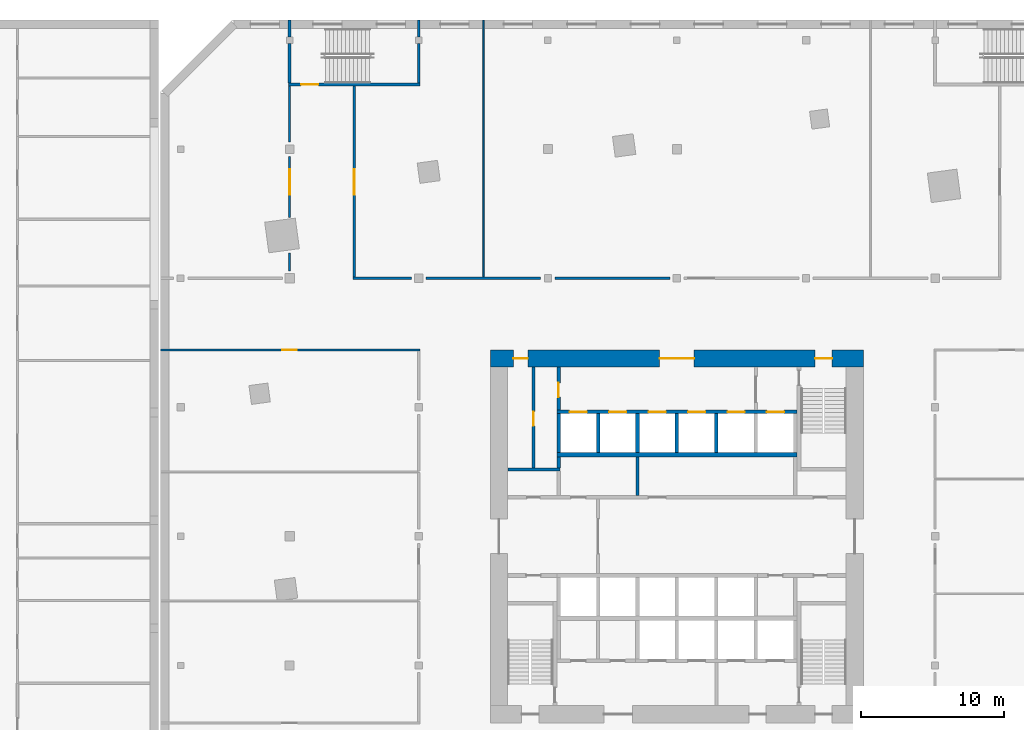
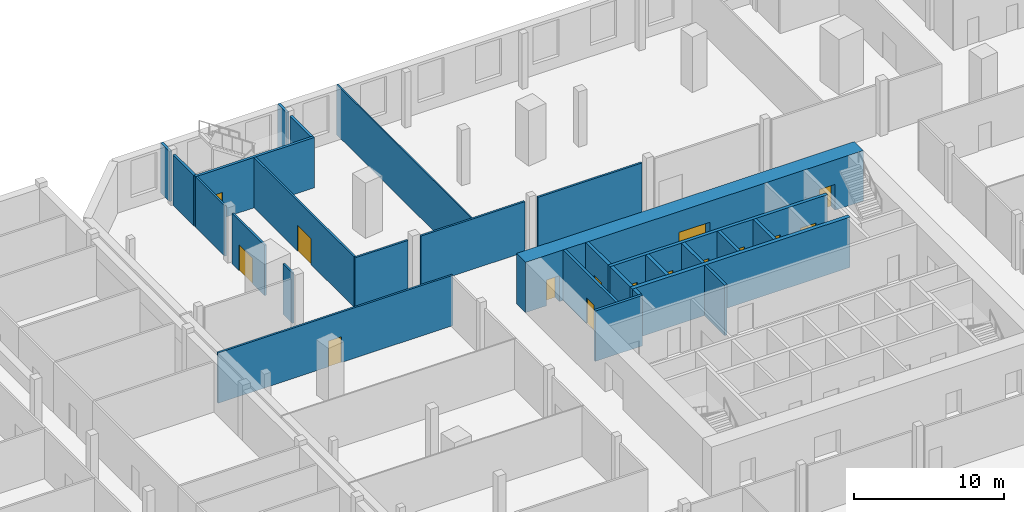
# One storey, part 11 of 18: 27 walls, 15 doors, 15 openings.
"""IFC4 building model written with IfcOpenShell, lengths in metres."""

from ifc_helpers import new_model, si_unit, direction, frame, frame_2d, origin, place, context, subcontext, project, spatial, rectangle, extrude, material, layer, layer_set, type_object, element, fill, save


model = new_model("IFC4")

# Units and contexts
model_context = context("Model", 3, precision=1e-05, world=origin(), true_north=direction((0.0, 1.0)))
body_context = subcontext(model_context, "Body", "Model", "MODEL_VIEW")
ifc_project = project(units=[si_unit("LENGTHUNIT", "METRE"), si_unit("AREAUNIT", "SQUARE_METRE"), si_unit("VOLUMEUNIT", "CUBIC_METRE"), si_unit("PLANEANGLEUNIT", "RADIAN"), si_unit("MASSUNIT", "GRAM", prefix="KILO")], contexts=[model_context])

# Site, building, storey
site_placement = place(None, origin())
site = spatial("IfcSite", under=ifc_project, at=site_placement, CompositionType="ELEMENT")
building_placement = place(site_placement, origin())
building = spatial("IfcBuilding", under=site, at=building_placement, Name="Dilmun Exchange Tower", CompositionType="ELEMENT")
storey_placement = place(building_placement, frame((0.0, 0.0, 13.5)))
storey = spatial("IfcBuildingStorey", under=building, at=storey_placement, Name="L03", CompositionType="ELEMENT", Elevation=13.5)

# Walls
ifc_material_1 = material(Name="Concrete C40/50", Category="concrete")
ifc_layer_1 = layer(ifc_material_1, 0.199951171875)
ifc_layer_set_1 = layer_set([ifc_layer_1], Name="Concrete C40/50")
wall_type_1 = type_object("IfcWallType", Name="Core partition wall 200", PredefinedType="PARTITIONING", material=ifc_layer_set_1)
wall_1_placement = place(storey_placement, frame((-2.75, 2.85498046875, 0.0), z_axis=(0.0, 0.0, 1.0), x_axis=(0.0, 1.0, 0.0)))
element("IfcWall", 1, at=wall_1_placement, inside=storey, type_object=wall_type_1, Name="L03 core partition wall 11", PredefinedType="PARTITIONING", context=body_context, shape_type="SweptSolid", body=[
    extrude(rectangle(XDim=2.68994140625, YDim=0.199951171875, at=frame_2d((1.344970703125, 0.0))), origin(), (0.0, 0.0, 1.0), 4.10009765625),
])
wall_2_placement = place(storey_placement, frame((-11.794921875, 4.675048828125, 0.0), z_axis=(0.0, 0.0, 1.0), x_axis=(1.0, 0.0, 0.0)))
element("IfcWall", 2, at=wall_2_placement, inside=storey, type_object=wall_type_1, Name="L03 core partition wall 13", PredefinedType="PARTITIONING", context=body_context, shape_type="SweptSolid", body=[
    extrude(rectangle(XDim=3.64501953125, YDim=0.199951171875, at=frame_2d((1.822509765625, 0.0))), origin(), (0.0, 0.0, 1.0), 4.10009765625),
])

# Wall, opening, door
wall_3_placement = place(storey_placement, frame((-10.0, 4.780029296875, 0.0), z_axis=(0.0, 0.0, 1.0), x_axis=(0.0, 1.0, 0.0)))
wall_3 = element("IfcWall", 3, at=wall_3_placement, inside=storey, type_object=wall_type_1, Name="L03 core partition wall 14", PredefinedType="PARTITIONING", context=body_context, shape_type="SweptSolid", body=[
    extrude(rectangle(XDim=7.014892578125, YDim=0.199951171875, at=frame_2d((3.50732421875, 0.0))), origin(), (0.0, 0.0, 1.0), 4.10009765625),
])
opening_1_placement = place(wall_3_placement, frame((2.919921875, 0.0, 0.0)))
opening_1 = element("IfcOpeningElement", 4, at=opening_1_placement, cuts=wall_3, Name="Opening CD4", PredefinedType="OPENING", context=body_context, shape_type="SweptSolid", body=[
    extrude(rectangle(XDim=1.0, YDim=2.10009765625, at=frame_2d((0.5, 1.050048828125))), frame((0.0, 0.10986328125, 0.0), z_axis=(0.0, -1.0, 0.0), x_axis=(1.0, 0.0, 0.0)), (0.0, 0.0, 1.0), 0.219970703125),
])
ifc_material_2 = material(Name="Fire-rated steel door set", Category="steel")
door_type_1 = type_object("IfcDoorType", Name="Core room door 1000x2100", OperationType="SINGLE_SWING_LEFT", PredefinedType="DOOR", material=ifc_material_2)
door_1_placement = place(opening_1_placement, origin())
door_1 = element("IfcDoor", 5, at=door_1_placement, inside=storey, type_object=door_type_1, Name="L03 door Comms room", OperationType="SINGLE_SWING_RIGHT", OverallHeight=2.10009765625, OverallWidth=1.0, PredefinedType="DOOR", context=body_context, shape_type="SweptSolid", body=[
    extrude(rectangle(XDim=1.0, YDim=2.10009765625, at=frame_2d((0.5, 1.050048828125))), frame((0.0, 0.02490234375, 0.0), z_axis=(0.0, -1.0, 0.0), x_axis=(1.0, 0.0, 0.0)), (0.0, 0.0, 1.0), 0.050048828125),
])
fill(opening_1, door_1)

# Wall
ifc_layer_2 = layer(ifc_material_1, 0.25)
ifc_layer_set_2 = layer_set([ifc_layer_2], Name="Concrete C40/50")
wall_type_2 = type_object("IfcWallType", Name="Core partition wall 250", PredefinedType="PARTITIONING", material=ifc_layer_set_2)
wall_4_placement = place(storey_placement, frame((-8.25, 4.780029296875, 0.0), z_axis=(0.0, 0.0, 1.0), x_axis=(0.0, 1.0, 0.0)))
element("IfcWall", 6, at=wall_4_placement, inside=storey, type_object=wall_type_2, Name="L03 core partition wall 15", PredefinedType="PARTITIONING", context=body_context, shape_type="SweptSolid", body=[
    extrude(rectangle(XDim=0.764892578125, YDim=0.25, at=frame_2d((0.38232421875, 0.0))), origin(), (0.0, 0.0, 1.0), 4.10009765625),
])

# Wall, opening, door
wall_5_placement = place(storey_placement, frame((-8.25, 8.804931640625, 0.0), z_axis=(0.0, 0.0, 1.0), x_axis=(0.0, 1.0, 0.0)))
wall_5 = element("IfcWall", 7, at=wall_5_placement, inside=storey, type_object=wall_type_2, Name="L03 core partition wall 16", PredefinedType="PARTITIONING", context=body_context, shape_type="SweptSolid", body=[
    extrude(rectangle(XDim=2.989990234375, YDim=0.25, at=frame_2d((1.4951171875, 0.0))), origin(), (0.0, 0.0, 1.0), 4.10009765625),
])
opening_2_placement = place(wall_5_placement, frame((0.89501953125, 0.0, 0.0)))
opening_2 = element("IfcOpeningElement", 8, at=opening_2_placement, cuts=wall_5, Name="Opening CD4", PredefinedType="OPENING", context=body_context, shape_type="SweptSolid", body=[
    extrude(rectangle(XDim=1.0, YDim=2.10009765625, at=frame_2d((0.5, 1.050048828125))), frame((0.0, 0.135009765625, 0.0), z_axis=(0.0, -1.0, 0.0), x_axis=(1.0, 0.0, 0.0)), (0.0, 0.0, 1.0), 0.27001953125),
])
door_2_placement = place(opening_2_placement, origin())
door_2 = element("IfcDoor", 9, at=door_2_placement, inside=storey, type_object=door_type_1, Name="L03 door Security room", OperationType="SINGLE_SWING_RIGHT", OverallHeight=2.10009765625, OverallWidth=1.0, PredefinedType="DOOR", context=body_context, shape_type="SweptSolid", body=[
    extrude(rectangle(XDim=1.0, YDim=2.10009765625, at=frame_2d((0.5, 1.050048828125))), frame((0.0, 0.02490234375, 0.0), z_axis=(0.0, -1.0, 0.0), x_axis=(1.0, 0.0, 0.0)), (0.0, 0.0, 1.0), 0.050048828125),
])
fill(opening_2, door_2)

# Wall, openings, doors
ifc_material_3 = material(Name="Concrete C80/95", Category="concrete")
ifc_layer_3 = layer(ifc_material_3, 1.199951171875)
ifc_layer_set_3 = layer_set([ifc_layer_3], Name="Concrete C80/95")
wall_type_3 = type_object("IfcWallType", Name="Core shear wall 1200 Concrete C80/95", PredefinedType="SHEAR", material=ifc_layer_set_3)
wall_6_placement = place(storey_placement, frame((-13.0, 12.39990234375, 0.0), z_axis=(0.0, 0.0, 1.0), x_axis=(1.0, 0.0, 0.0)))
wall_6 = element("IfcWall", 10, at=wall_6_placement, inside=storey, type_object=wall_type_3, Name="L03 core shear wall N", PredefinedType="SHEAR", context=body_context, shape_type="SweptSolid", body=[
    extrude(rectangle(XDim=26.0, YDim=1.199951171875, at=frame_2d((13.0, 0.0))), origin(), (0.0, 0.0, 1.0), 4.10009765625),
])
opening_3_placement = place(wall_6_placement, frame((11.800048828125, 0.0, 0.0)))
opening_3 = element("IfcOpeningElement", 11, at=opening_3_placement, cuts=wall_6, Name="Opening CD1", PredefinedType="OPENING", context=body_context, shape_type="SweptSolid", body=[
    extrude(rectangle(XDim=2.39990234375, YDim=2.39990234375, at=frame_2d((1.199951171875, 1.199951171875))), frame((0.0, 0.60986328125, 0.0), z_axis=(0.0, -1.0, 0.0), x_axis=(1.0, 0.0, 0.0)), (0.0, 0.0, 1.0), 1.219970703125),
])
opening_4_placement = place(wall_6_placement, frame((22.625, 0.0, 0.0)))
opening_4 = element("IfcOpeningElement", 12, at=opening_4_placement, cuts=wall_6, Name="Opening CD3", PredefinedType="OPENING", context=body_context, shape_type="SweptSolid", body=[
    extrude(rectangle(XDim=1.199951171875, YDim=2.10009765625, at=frame_2d((0.60009765625, 1.050048828125))), frame((0.0, 0.60986328125, 0.0), z_axis=(0.0, -1.0, 0.0), x_axis=(1.0, 0.0, 0.0)), (0.0, 0.0, 1.0), 1.219970703125),
])
opening_5_placement = place(wall_6_placement, frame((1.60009765625, 0.0, 0.0)))
opening_5 = element("IfcOpeningElement", 13, at=opening_5_placement, cuts=wall_6, Name="Opening CD4", PredefinedType="OPENING", context=body_context, shape_type="SweptSolid", body=[
    extrude(rectangle(XDim=1.0, YDim=2.10009765625, at=frame_2d((0.5, 1.050048828125))), frame((0.0, 0.60986328125, 0.0), z_axis=(0.0, -1.0, 0.0), x_axis=(1.0, 0.0, 0.0)), (0.0, 0.0, 1.0), 1.219970703125),
])
door_type_2 = type_object("IfcDoorType", Name="Core lobby door 2400x2400", OperationType="DOUBLE_DOOR_DOUBLE_SWING", PredefinedType="DOOR", material=ifc_material_2)
door_3_placement = place(opening_3_placement, origin())
door_3 = element("IfcDoor", 14, at=door_3_placement, inside=storey, type_object=door_type_2, Name="L03 door North lift lobby", OperationType="SINGLE_SWING_LEFT", OverallHeight=2.39990234375, OverallWidth=2.39990234375, PredefinedType="DOOR", context=body_context, shape_type="SweptSolid", body=[
    extrude(rectangle(XDim=2.39990234375, YDim=2.39990234375, at=frame_2d((1.199951171875, 1.199951171875))), frame((0.0, 0.02490234375, 0.0), z_axis=(0.0, -1.0, 0.0), x_axis=(1.0, 0.0, 0.0)), (0.0, 0.0, 1.0), 0.050048828125),
])
fill(opening_3, door_3)
door_4_placement = place(opening_5_placement, origin())
door_4 = element("IfcDoor", 15, at=door_4_placement, inside=storey, type_object=door_type_1, Name="L03 door North-west core rooms", OperationType="SINGLE_SWING_LEFT", OverallHeight=2.10009765625, OverallWidth=1.0, PredefinedType="DOOR", context=body_context, shape_type="SweptSolid", body=[
    extrude(rectangle(XDim=1.0, YDim=2.10009765625, at=frame_2d((0.5, 1.050048828125))), frame((0.0, 0.02490234375, 0.0), z_axis=(0.0, -1.0, 0.0), x_axis=(1.0, 0.0, 0.0)), (0.0, 0.0, 1.0), 0.050048828125),
])
fill(opening_5, door_4)
door_type_3 = type_object("IfcDoorType", Name="Stair exit door 1200x2100", OperationType="SINGLE_SWING_LEFT", PredefinedType="DOOR", material=ifc_material_2)
door_5_placement = place(opening_4_placement, origin())
door_5 = element("IfcDoor", 16, at=door_5_placement, inside=storey, type_object=door_type_3, Name="L03 door Stair ST1", OperationType="SINGLE_SWING_LEFT", OverallHeight=2.10009765625, OverallWidth=1.199951171875, PredefinedType="DOOR", context=body_context, shape_type="SweptSolid", body=[
    extrude(rectangle(XDim=1.199951171875, YDim=2.10009765625, at=frame_2d((0.60009765625, 1.050048828125))), frame((0.0, 0.02490234375, 0.0), z_axis=(0.0, -1.0, 0.0), x_axis=(1.0, 0.0, 0.0)), (0.0, 0.0, 1.0), 0.050048828125),
])
fill(opening_4, door_5)

# Wall, opening, door
ifc_material_4 = material(Name="Fire partition EI 60 150 gypsum")
ifc_layer_4 = layer(ifc_material_4, 0.14990234375)
ifc_layer_set_4 = layer_set([ifc_layer_4], Name="Fire partition EI 60 150 gypsum")
wall_type_4 = type_object("IfcWallType", Name="Fire partition EI 60 150 gypsum", PredefinedType="PARTITIONING", material=ifc_layer_set_4)
wall_7_placement = place(storey_placement, frame((-36.0, 13.0, 0.0), z_axis=(0.0, 0.0, 1.0), x_axis=(1.0, 0.0, 0.0)))
wall_7 = element("IfcWall", 17, at=wall_7_placement, inside=storey, type_object=wall_type_4, Name="L03 partition", PredefinedType="PARTITIONING", context=body_context, shape_type="SweptSolid", body=[
    extrude(rectangle(XDim=18.074951171875, YDim=0.14990234375, at=frame_2d((9.03759765625, 0.0))), origin(), (0.0, 0.0, 1.0), 4.10009765625),
])
opening_6_placement = place(wall_7_placement, frame((8.5, 0.0, 0.0)))
opening_6 = element("IfcOpeningElement", 18, at=opening_6_placement, cuts=wall_7, Name="Opening L03-D019", PredefinedType="OPENING", context=body_context, shape_type="SweptSolid", body=[
    extrude(rectangle(XDim=1.0, YDim=2.10009765625, at=frame_2d((0.5, 1.050048828125))), frame((0.0, 0.0849609375, 0.0), z_axis=(0.0, -1.0, 0.0), x_axis=(1.0, 0.0, 0.0)), (0.0, 0.0, 1.0), 0.169921875),
])
ifc_material_5 = material(Name="Fire door FD60 1000 x 2100")
door_type_4 = type_object("IfcDoorType", Name="Fire door FD60 1000 x 2100", OperationType="SINGLE_SWING_LEFT", PredefinedType="DOOR", material=ifc_material_5)
door_6_placement = place(opening_6_placement, origin())
door_6 = element("IfcDoor", 19, at=door_6_placement, inside=storey, type_object=door_type_4, Name="L03 door L03-D019", OperationType="SINGLE_SWING_LEFT", OverallHeight=2.10009765625, OverallWidth=1.0, PredefinedType="DOOR", context=body_context, shape_type="SweptSolid", body=[
    extrude(rectangle(XDim=1.0, YDim=2.10009765625, at=frame_2d((0.5, 1.050048828125))), frame((0.0, 0.02490234375, 0.0), z_axis=(0.0, -1.0, 0.0), x_axis=(1.0, 0.0, 0.0)), (0.0, 0.0, 1.0), 0.050048828125),
])
fill(opening_6, door_6)

# Walls
wall_8_placement = place(storey_placement, frame((-22.574951171875, 18.0, 0.0), z_axis=(0.0, 0.0, 1.0), x_axis=(1.0, 0.0, 0.0)))
element("IfcWall", 20, at=wall_8_placement, inside=storey, type_object=wall_type_4, Name="L03 partition", PredefinedType="PARTITIONING", context=body_context, shape_type="SweptSolid", body=[
    extrude(rectangle(XDim=4.074951171875, YDim=0.14990234375, at=frame_2d((2.03759765625, 0.0))), origin(), (0.0, 0.0, 1.0), 4.10009765625),
])
for number, where, z_axis, x_axis, name in (
    (21, (-17.5, 18.0, 0.0), (0.0, 0.0, 1.0), (1.0, 0.0, 0.0), "L03 partition"),
    (22, (-8.5, 18.0, 0.0), (0.0, 0.0, 1.0), (1.0, 0.0, 0.0), "L03 partition"),
):
    element("IfcWall", number, at=place(storey_placement, frame(where, z_axis=z_axis, x_axis=x_axis)), inside=storey, type_object=wall_type_4, Name=name, PredefinedType="PARTITIONING", context=body_context, shape_type="SweptSolid", body=[
        extrude(rectangle(XDim=8.0, YDim=0.14990234375, at=frame_2d((4.0, 0.0))), origin(), (0.0, 0.0, 1.0), 4.10009765625),
    ])
wall_9_placement = place(storey_placement, frame((-27.0, 18.5, 0.0), z_axis=(0.0, 0.0, 1.0), x_axis=(0.0, 1.0, 0.0)))
element("IfcWall", 23, at=wall_9_placement, inside=storey, type_object=wall_type_4, Name="L03 partition", PredefinedType="PARTITIONING", context=body_context, shape_type="SweptSolid", body=[
    extrude(rectangle(XDim=1.24169921875, YDim=0.14990234375, at=frame_2d((0.620849609375, 0.0))), origin(), (0.0, 0.0, 1.0), 4.10009765625),
])

# Wall, opening, door
wall_10_placement = place(storey_placement, frame((-27.0, 22.21630859375, 0.0), z_axis=(0.0, 0.0, 1.0), x_axis=(0.0, 1.0, 0.0)))
wall_10 = element("IfcWall", 24, at=wall_10_placement, inside=storey, type_object=wall_type_4, Name="L03 partition", PredefinedType="PARTITIONING", context=body_context, shape_type="SweptSolid", body=[
    extrude(rectangle(XDim=4.28369140625, YDim=0.14990234375, at=frame_2d((2.141845703125, 0.0))), origin(), (0.0, 0.0, 1.0), 4.10009765625),
])
opening_7_placement = place(wall_10_placement, frame((1.583740234375, 0.0, 0.0)))
opening_7 = element("IfcOpeningElement", 25, at=opening_7_placement, cuts=wall_10, Name="Opening L03-D008", PredefinedType="OPENING", context=body_context, shape_type="SweptSolid", body=[
    extrude(rectangle(XDim=1.800048828125, YDim=2.10009765625, at=frame_2d((0.89990234375, 1.050048828125))), frame((0.0, 0.0849609375, 0.0), z_axis=(0.0, -1.0, 0.0), x_axis=(1.0, 0.0, 0.0)), (0.0, 0.0, 1.0), 0.169921875),
])
ifc_material_6 = material(Name="Fire door FD60 double 1800 x 2100")
door_type_5 = type_object("IfcDoorType", Name="Fire door FD60 double 1800 x 2100", OperationType="DOUBLE_DOOR_SINGLE_SWING", PredefinedType="DOOR", material=ifc_material_6)
door_7_placement = place(opening_7_placement, origin())
door_7 = element("IfcDoor", 26, at=door_7_placement, inside=storey, type_object=door_type_5, Name="L03 door L03-D008", OperationType="DOUBLE_DOOR_SINGLE_SWING", OverallHeight=2.10009765625, OverallWidth=1.800048828125, PredefinedType="DOOR", context=body_context, shape_type="SweptSolid", body=[
    extrude(rectangle(XDim=1.800048828125, YDim=2.10009765625, at=frame_2d((0.89990234375, 1.050048828125))), frame((0.0, 0.02490234375, 0.0), z_axis=(0.0, -1.0, 0.0), x_axis=(1.0, 0.0, 0.0)), (0.0, 0.0, 1.0), 0.050048828125),
])
fill(opening_7, door_7)

# Wall
wall_11_placement = place(storey_placement, frame((-27.0, 27.5, 0.0), z_axis=(0.0, 0.0, 1.0), x_axis=(0.0, 1.0, 0.0)))
element("IfcWall", 27, at=wall_11_placement, inside=storey, type_object=wall_type_4, Name="L03 partition", PredefinedType="PARTITIONING", context=body_context, shape_type="SweptSolid", body=[
    extrude(rectangle(XDim=3.89990234375, YDim=0.14990234375, at=frame_2d((1.949951171875, 0.0))), origin(), (0.0, 0.0, 1.0), 4.10009765625),
])

# Wall, opening, door
wall_12_placement = place(storey_placement, frame((-22.5, 18.074951171875, 0.0), z_axis=(0.0, 0.0, 1.0), x_axis=(0.0, 1.0, 0.0)))
wall_12 = element("IfcWall", 28, at=wall_12_placement, inside=storey, type_object=wall_type_4, Name="L03 partition", PredefinedType="PARTITIONING", context=body_context, shape_type="SweptSolid", body=[
    extrude(rectangle(XDim=13.324951171875, YDim=0.14990234375, at=frame_2d((6.66259765625, 0.0))), origin(), (0.0, 0.0, 1.0), 4.10009765625),
])
opening_8_placement = place(wall_12_placement, frame((5.72509765625, 0.0, 0.0)))
opening_8 = element("IfcOpeningElement", 29, at=opening_8_placement, cuts=wall_12, Name="Opening L03-D009", PredefinedType="OPENING", context=body_context, shape_type="SweptSolid", body=[
    extrude(rectangle(XDim=1.800048828125, YDim=2.10009765625, at=frame_2d((0.89990234375, 1.050048828125))), frame((0.0, 0.0849609375, 0.0), z_axis=(0.0, -1.0, 0.0), x_axis=(1.0, 0.0, 0.0)), (0.0, 0.0, 1.0), 0.169921875),
])
door_8_placement = place(opening_8_placement, origin())
door_8 = element("IfcDoor", 30, at=door_8_placement, inside=storey, type_object=door_type_5, Name="L03 door L03-D009", OperationType="DOUBLE_DOOR_SINGLE_SWING", OverallHeight=2.10009765625, OverallWidth=1.800048828125, PredefinedType="DOOR", context=body_context, shape_type="SweptSolid", body=[
    extrude(rectangle(XDim=1.800048828125, YDim=2.10009765625, at=frame_2d((0.89990234375, 1.050048828125))), frame((0.0, 0.02490234375, 0.0), z_axis=(0.0, -1.0, 0.0), x_axis=(1.0, 0.0, 0.0)), (0.0, 0.0, 1.0), 0.050048828125),
])
fill(opening_8, door_8)

ifc_material_7 = material(Name="Fire wall EI 120 200 blockwork", Category="masonry")
ifc_layer_5 = layer(ifc_material_7, 0.199951171875)
ifc_layer_set_5 = layer_set([ifc_layer_5], Name="Fire wall EI 120 200 blockwork")
wall_type_5 = type_object("IfcWallType", Name="Fire wall EI 120 200 blockwork", PredefinedType="PARTITIONING", material=ifc_layer_set_5)
wall_13_placement = place(storey_placement, frame((-27.074951171875, 31.5, 0.0), z_axis=(0.0, 0.0, 1.0), x_axis=(1.0, 0.0, 0.0)))
wall_13 = element("IfcWall", 31, at=wall_13_placement, inside=storey, type_object=wall_type_5, Name="L03 stair wall", PredefinedType="PARTITIONING", context=body_context, shape_type="SweptSolid", body=[
    extrude(rectangle(XDim=9.175048828125, YDim=0.199951171875, at=frame_2d((4.58740234375, 0.0))), origin(), (0.0, 0.0, 1.0), 4.10009765625),
])
opening_9_placement = place(wall_13_placement, frame((0.875, 0.0, 0.0)))
opening_9 = element("IfcOpeningElement", 32, at=opening_9_placement, cuts=wall_13, Name="Opening L03-D001", PredefinedType="OPENING", context=body_context, shape_type="SweptSolid", body=[
    extrude(rectangle(XDim=1.199951171875, YDim=2.10009765625, at=frame_2d((0.60009765625, 1.050048828125))), frame((0.0, 0.10986328125, 0.0), z_axis=(0.0, -1.0, 0.0), x_axis=(1.0, 0.0, 0.0)), (0.0, 0.0, 1.0), 0.219970703125),
])
ifc_material_8 = material(Name="Stair door FD90 1200 x 2100")
door_type_6 = type_object("IfcDoorType", Name="Stair door FD90 1200 x 2100", OperationType="SINGLE_SWING_LEFT", PredefinedType="DOOR", material=ifc_material_8)
door_9_placement = place(opening_9_placement, origin())
door_9 = element("IfcDoor", 33, at=door_9_placement, inside=storey, type_object=door_type_6, Name="L03 door L03-D001", OperationType="SINGLE_SWING_LEFT", OverallHeight=2.10009765625, OverallWidth=1.199951171875, PredefinedType="DOOR", context=body_context, shape_type="SweptSolid", body=[
    extrude(rectangle(XDim=1.199951171875, YDim=2.10009765625, at=frame_2d((0.60009765625, 1.050048828125))), frame((0.0, 0.02490234375, 0.0), z_axis=(0.0, -1.0, 0.0), x_axis=(1.0, 0.0, 0.0)), (0.0, 0.0, 1.0), 0.050048828125),
])
fill(opening_9, door_9)

# Walls
wall_14_placement = place(storey_placement, frame((-27.0, 31.60009765625, 0.0), z_axis=(0.0, 0.0, 1.0), x_axis=(0.0, 1.0, 0.0)))
element("IfcWall", 34, at=wall_14_placement, inside=storey, type_object=wall_type_5, Name="L03 stair wall", PredefinedType="PARTITIONING", context=body_context, shape_type="SweptSolid", body=[
    extrude(rectangle(XDim=2.77490234375, YDim=0.199951171875, at=frame_2d((1.387451171875, 0.0))), origin(), (0.0, 0.0, 1.0), 4.10009765625),
])
wall_15_placement = place(storey_placement, frame((-27.0, 34.824951171875, 0.0), z_axis=(0.0, 0.0, 1.0), x_axis=(0.0, 1.0, 0.0)))
element("IfcWall", 35, at=wall_15_placement, inside=storey, type_object=wall_type_5, Name="L03 stair wall", PredefinedType="PARTITIONING", context=body_context, shape_type="SweptSolid", body=[
    extrude(rectangle(XDim=1.175048828125, YDim=0.199951171875, at=frame_2d((0.58740234375, 0.0))), origin(), (0.0, 0.0, 1.0), 4.10009765625),
])
wall_16_placement = place(storey_placement, frame((-18.0, 31.60009765625, 0.0), z_axis=(0.0, 0.0, 1.0), x_axis=(0.0, 1.0, 0.0)))
element("IfcWall", 36, at=wall_16_placement, inside=storey, type_object=wall_type_5, Name="L03 stair wall", PredefinedType="PARTITIONING", context=body_context, shape_type="SweptSolid", body=[
    extrude(rectangle(XDim=2.77490234375, YDim=0.199951171875, at=frame_2d((1.387451171875, 0.0))), origin(), (0.0, 0.0, 1.0), 4.10009765625),
])
wall_17_placement = place(storey_placement, frame((-18.0, 34.824951171875, 0.0), z_axis=(0.0, 0.0, 1.0), x_axis=(0.0, 1.0, 0.0)))
element("IfcWall", 37, at=wall_17_placement, inside=storey, type_object=wall_type_5, Name="L03 stair wall", PredefinedType="PARTITIONING", context=body_context, shape_type="SweptSolid", body=[
    extrude(rectangle(XDim=1.175048828125, YDim=0.199951171875, at=frame_2d((0.58740234375, 0.0))), origin(), (0.0, 0.0, 1.0), 4.10009765625),
])
ifc_layer_6 = layer(ifc_material_1, 0.300048828125)
ifc_layer_set_6 = layer_set([ifc_layer_6], Name="Concrete C40/50")
wall_type_6 = type_object("IfcWallType", Name="Lift shaft shared wall 300", PredefinedType="SOLIDWALL", material=ifc_layer_set_6)
wall_18_placement = place(storey_placement, frame((-8.375, 5.699951171875, 0.0), z_axis=(0.0, 0.0, 1.0), x_axis=(1.0, 0.0, 0.0)))
element("IfcWall", 38, at=wall_18_placement, inside=storey, type_object=wall_type_6, Name="L03 lift shaft rear wall N", PredefinedType="SOLIDWALL", context=body_context, shape_type="SweptSolid", body=[
    extrude(rectangle(XDim=16.75, YDim=0.300048828125, at=frame_2d((8.375, 0.0))), origin(), (0.0, 0.0, 1.0), 4.10009765625),
])

# Wall, openings, doors
ifc_layer_7 = layer(ifc_material_1, 0.25)
ifc_layer_set_7 = layer_set([ifc_layer_7], Name="Concrete C40/50")
wall_type_7 = type_object("IfcWallType", Name="Lift shaft wall 250", PredefinedType="SOLIDWALL", material=ifc_layer_set_7)
wall_19_placement = place(storey_placement, frame((-8.375, 8.675048828125, 0.0), z_axis=(0.0, 0.0, 1.0), x_axis=(1.0, 0.0, 0.0)))
wall_19 = element("IfcWall", 39, at=wall_19_placement, inside=storey, type_object=wall_type_7, Name="L03 lift shaft front wall N2", PredefinedType="SOLIDWALL", context=body_context, shape_type="SweptSolid", body=[
    extrude(rectangle(XDim=16.75, YDim=0.25, at=frame_2d((8.375, 0.0))), origin(), (0.0, 0.0, 1.0), 4.10009765625),
])
opening_10_placement = place(wall_19_placement, frame((0.89990234375, 0.0, 0.0)))
opening_10 = element("IfcOpeningElement", 40, at=opening_10_placement, cuts=wall_19, Name="Opening LD", PredefinedType="OPENING", context=body_context, shape_type="SweptSolid", body=[
    extrude(rectangle(XDim=1.199951171875, YDim=2.10009765625, at=frame_2d((0.60009765625, 1.050048828125))), frame((0.0, 0.135009765625, 0.0), z_axis=(0.0, -1.0, 0.0), x_axis=(1.0, 0.0, 0.0)), (0.0, 0.0, 1.0), 0.27001953125),
])
opening_11_placement = place(wall_19_placement, frame((3.64990234375, 0.0, 0.0)))
opening_11 = element("IfcOpeningElement", 41, at=opening_11_placement, cuts=wall_19, Name="Opening LD", PredefinedType="OPENING", context=body_context, shape_type="SweptSolid", body=[
    extrude(rectangle(XDim=1.199951171875, YDim=2.10009765625, at=frame_2d((0.60009765625, 1.050048828125))), frame((0.0, 0.135009765625, 0.0), z_axis=(0.0, -1.0, 0.0), x_axis=(1.0, 0.0, 0.0)), (0.0, 0.0, 1.0), 0.27001953125),
])
opening_12_placement = place(wall_19_placement, frame((6.39990234375, 0.0, 0.0)))
opening_12 = element("IfcOpeningElement", 42, at=opening_12_placement, cuts=wall_19, Name="Opening LD", PredefinedType="OPENING", context=body_context, shape_type="SweptSolid", body=[
    extrude(rectangle(XDim=1.199951171875, YDim=2.10009765625, at=frame_2d((0.60009765625, 1.050048828125))), frame((0.0, 0.135009765625, 0.0), z_axis=(0.0, -1.0, 0.0), x_axis=(1.0, 0.0, 0.0)), (0.0, 0.0, 1.0), 0.27001953125),
])
opening_13_placement = place(wall_19_placement, frame((9.14990234375, 0.0, 0.0)))
opening_13 = element("IfcOpeningElement", 43, at=opening_13_placement, cuts=wall_19, Name="Opening LD", PredefinedType="OPENING", context=body_context, shape_type="SweptSolid", body=[
    extrude(rectangle(XDim=1.199951171875, YDim=2.10009765625, at=frame_2d((0.60009765625, 1.050048828125))), frame((0.0, 0.135009765625, 0.0), z_axis=(0.0, -1.0, 0.0), x_axis=(1.0, 0.0, 0.0)), (0.0, 0.0, 1.0), 0.27001953125),
])
opening_14_placement = place(wall_19_placement, frame((11.89990234375, 0.0, 0.0)))
opening_14 = element("IfcOpeningElement", 44, at=opening_14_placement, cuts=wall_19, Name="Opening LD", PredefinedType="OPENING", context=body_context, shape_type="SweptSolid", body=[
    extrude(rectangle(XDim=1.199951171875, YDim=2.10009765625, at=frame_2d((0.60009765625, 1.050048828125))), frame((0.0, 0.135009765625, 0.0), z_axis=(0.0, -1.0, 0.0), x_axis=(1.0, 0.0, 0.0)), (0.0, 0.0, 1.0), 0.27001953125),
])
opening_15_placement = place(wall_19_placement, frame((14.64990234375, 0.0, 0.0)))
opening_15 = element("IfcOpeningElement", 45, at=opening_15_placement, cuts=wall_19, Name="Opening LD", PredefinedType="OPENING", context=body_context, shape_type="SweptSolid", body=[
    extrude(rectangle(XDim=1.199951171875, YDim=2.10009765625, at=frame_2d((0.60009765625, 1.050048828125))), frame((0.0, 0.135009765625, 0.0), z_axis=(0.0, -1.0, 0.0), x_axis=(1.0, 0.0, 0.0)), (0.0, 0.0, 1.0), 0.27001953125),
])
door_type_7 = type_object("IfcDoorType", Name="Lift landing door 1200x2100", OperationType="DOUBLE_DOOR_SLIDING", PredefinedType="DOOR", material=ifc_material_2)
door_10_placement = place(opening_10_placement, origin())
door_10 = element("IfcDoor", 46, at=door_10_placement, inside=storey, type_object=door_type_7, Name="L03 landing door LR1", OperationType="DOUBLE_DOOR_SLIDING", OverallHeight=2.10009765625, OverallWidth=1.199951171875, PredefinedType="DOOR", context=body_context, shape_type="SweptSolid", body=[
    extrude(rectangle(XDim=1.199951171875, YDim=2.10009765625, at=frame_2d((0.60009765625, 1.050048828125))), frame((0.0, 0.02490234375, 0.0), z_axis=(0.0, -1.0, 0.0), x_axis=(1.0, 0.0, 0.0)), (0.0, 0.0, 1.0), 0.050048828125),
])
fill(opening_10, door_10)
door_11_placement = place(opening_11_placement, origin())
door_11 = element("IfcDoor", 47, at=door_11_placement, inside=storey, type_object=door_type_7, Name="L03 landing door LR2", OperationType="DOUBLE_DOOR_SLIDING", OverallHeight=2.10009765625, OverallWidth=1.199951171875, PredefinedType="DOOR", context=body_context, shape_type="SweptSolid", body=[
    extrude(rectangle(XDim=1.199951171875, YDim=2.10009765625, at=frame_2d((0.60009765625, 1.050048828125))), frame((0.0, 0.02490234375, 0.0), z_axis=(0.0, -1.0, 0.0), x_axis=(1.0, 0.0, 0.0)), (0.0, 0.0, 1.0), 0.050048828125),
])
fill(opening_11, door_11)
door_12_placement = place(opening_12_placement, origin())
door_12 = element("IfcDoor", 48, at=door_12_placement, inside=storey, type_object=door_type_7, Name="L03 landing door LR3", OperationType="DOUBLE_DOOR_SLIDING", OverallHeight=2.10009765625, OverallWidth=1.199951171875, PredefinedType="DOOR", context=body_context, shape_type="SweptSolid", body=[
    extrude(rectangle(XDim=1.199951171875, YDim=2.10009765625, at=frame_2d((0.60009765625, 1.050048828125))), frame((0.0, 0.02490234375, 0.0), z_axis=(0.0, -1.0, 0.0), x_axis=(1.0, 0.0, 0.0)), (0.0, 0.0, 1.0), 0.050048828125),
])
fill(opening_12, door_12)
door_13_placement = place(opening_13_placement, origin())
door_13 = element("IfcDoor", 49, at=door_13_placement, inside=storey, type_object=door_type_7, Name="L03 landing door LR4", OperationType="DOUBLE_DOOR_SLIDING", OverallHeight=2.10009765625, OverallWidth=1.199951171875, PredefinedType="DOOR", context=body_context, shape_type="SweptSolid", body=[
    extrude(rectangle(XDim=1.199951171875, YDim=2.10009765625, at=frame_2d((0.60009765625, 1.050048828125))), frame((0.0, 0.02490234375, 0.0), z_axis=(0.0, -1.0, 0.0), x_axis=(1.0, 0.0, 0.0)), (0.0, 0.0, 1.0), 0.050048828125),
])
fill(opening_13, door_13)
door_14_placement = place(opening_14_placement, origin())
door_14 = element("IfcDoor", 50, at=door_14_placement, inside=storey, type_object=door_type_7, Name="L03 landing door LR5", OperationType="DOUBLE_DOOR_SLIDING", OverallHeight=2.10009765625, OverallWidth=1.199951171875, PredefinedType="DOOR", context=body_context, shape_type="SweptSolid", body=[
    extrude(rectangle(XDim=1.199951171875, YDim=2.10009765625, at=frame_2d((0.60009765625, 1.050048828125))), frame((0.0, 0.02490234375, 0.0), z_axis=(0.0, -1.0, 0.0), x_axis=(1.0, 0.0, 0.0)), (0.0, 0.0, 1.0), 0.050048828125),
])
fill(opening_14, door_14)
door_15_placement = place(opening_15_placement, origin())
door_15 = element("IfcDoor", 51, at=door_15_placement, inside=storey, type_object=door_type_7, Name="L03 landing door LR6", OperationType="DOUBLE_DOOR_SLIDING", OverallHeight=2.10009765625, OverallWidth=1.199951171875, PredefinedType="DOOR", context=body_context, shape_type="SweptSolid", body=[
    extrude(rectangle(XDim=1.199951171875, YDim=2.10009765625, at=frame_2d((0.60009765625, 1.050048828125))), frame((0.0, 0.02490234375, 0.0), z_axis=(0.0, -1.0, 0.0), x_axis=(1.0, 0.0, 0.0)), (0.0, 0.0, 1.0), 0.050048828125),
])
fill(opening_15, door_15)

# Walls
for number, where, z_axis, x_axis, name in (
    (52, (-8.25, 5.85009765625, 0.0), (0.0, 0.0, 1.0), (0.0, 1.0, 0.0), "L03 lift shaft divider N20"),
    (53, (-5.5, 5.85009765625, 0.0), (0.0, 0.0, 1.0), (0.0, 1.0, 0.0), "L03 lift shaft divider N21"),
    (54, (-2.75, 5.85009765625, 0.0), (0.0, 0.0, 1.0), (0.0, 1.0, 0.0), "L03 lift shaft divider N22"),
    (55, (0.0, 5.85009765625, 0.0), (0.0, 0.0, 1.0), (0.0, 1.0, 0.0), "L03 lift shaft divider N23"),
    (56, (2.75, 5.85009765625, 0.0), (0.0, 0.0, 1.0), (0.0, 1.0, 0.0), "L03 lift shaft divider N24"),
):
    element("IfcWall", number, at=place(storey_placement, frame(where, z_axis=z_axis, x_axis=x_axis)), inside=storey, type_object=wall_type_7, Name=name, PredefinedType="SOLIDWALL", context=body_context, shape_type="SweptSolid", body=[
        extrude(rectangle(XDim=2.699951171875, YDim=0.25, at=frame_2d((1.35009765625, 0.0))), origin(), (0.0, 0.0, 1.0), 4.10009765625),
    ])
ifc_material_9 = material(Name="Partition 100 gypsum")
ifc_layer_8 = layer(ifc_material_9, 0.10009765625)
ifc_layer_set_8 = layer_set([ifc_layer_8], Name="Partition 100 gypsum")
wall_type_8 = type_object("IfcWallType", Name="Partition 100 gypsum", PredefinedType="PARTITIONING", material=ifc_layer_set_8)
wall_20_placement = place(storey_placement, frame((-13.5, 18.074951171875, 0.0), z_axis=(0.0, 0.0, 1.0), x_axis=(0.0, 1.0, 0.0)))
element("IfcWall", 57, at=wall_20_placement, inside=storey, type_object=wall_type_8, Name="L03 partition", PredefinedType="PARTITIONING", context=body_context, shape_type="SweptSolid", body=[
    extrude(rectangle(XDim=17.925048828125, YDim=0.10009765625, at=frame_2d((8.96240234375, 0.0))), origin(), (0.0, 0.0, 1.0), 4.10009765625),
])

save(model, "model.ifc")
